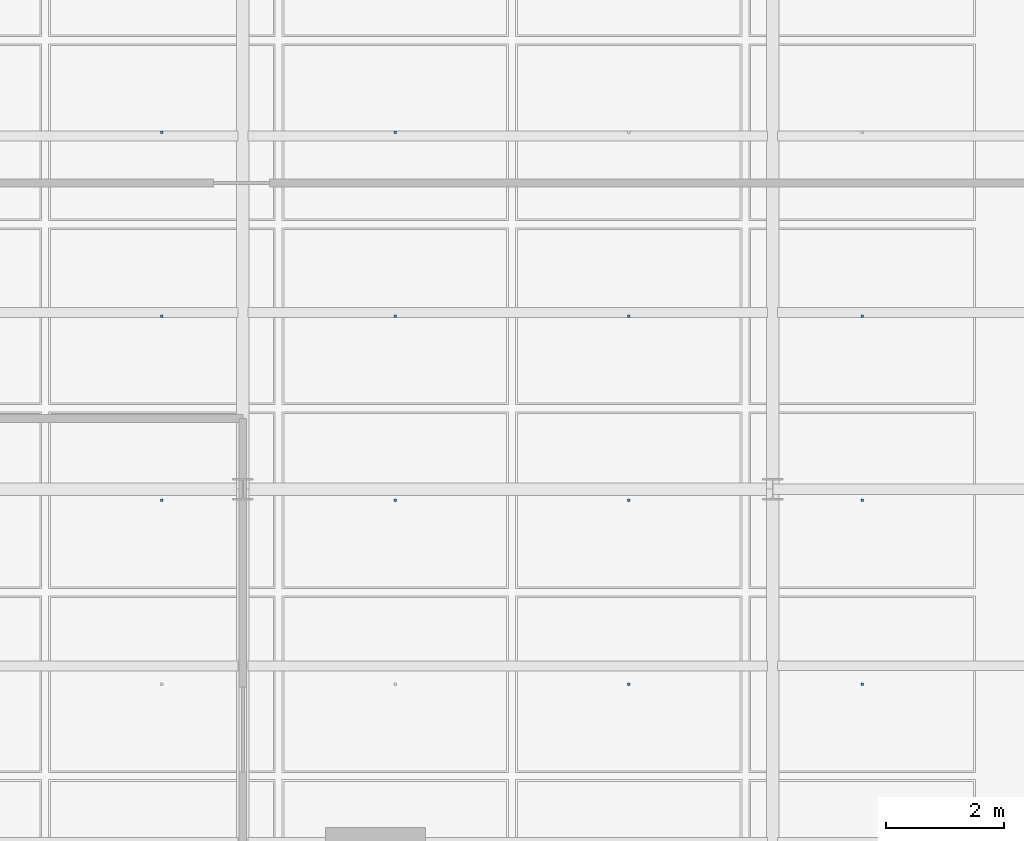
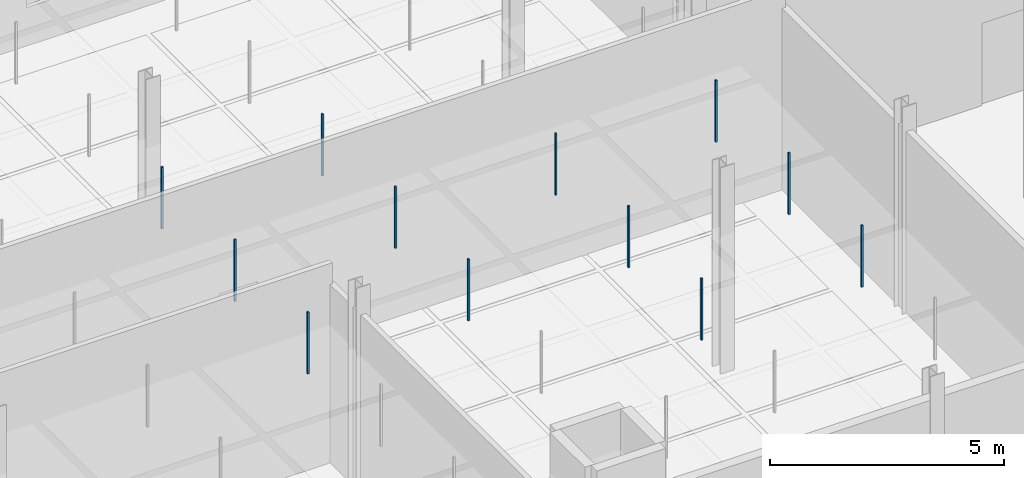
# One storey, part 135 of 180: 12 discrete accessories.
"""IFC4 building model written with IfcOpenShell, lengths in metres."""

from ifc_helpers import new_model, si_unit, direction, frame, origin, origin_2d, place, context, subcontext, project, spatial, rectangle, extrude, material, type_object, element, save


model = new_model("IFC4")

# Units and contexts
model_context = context("Model", 3, precision=1e-05, world=origin(), true_north=direction((0.0, 1.0)))
body_context = subcontext(model_context, "Body", "Model", "MODEL_VIEW")
ifc_project = project(units=[si_unit("LENGTHUNIT", "METRE"), si_unit("AREAUNIT", "SQUARE_METRE"), si_unit("VOLUMEUNIT", "CUBIC_METRE"), si_unit("PLANEANGLEUNIT", "RADIAN"), si_unit("MASSUNIT", "GRAM", prefix="KILO"), si_unit("THERMODYNAMICTEMPERATUREUNIT", "KELVIN"), si_unit("POWERUNIT", "WATT")], contexts=[model_context])

# Site, building, storey
site_placement = place(None, origin())
site = spatial("IfcSite", under=ifc_project, at=site_placement, CompositionType="ELEMENT")
building_placement = place(site_placement, origin())
building = spatial("IfcBuilding", under=site, at=building_placement, Name="Tallowbark Science Centre", CompositionType="ELEMENT")
storey_placement = place(building_placement, origin())
storey = spatial("IfcBuildingStorey", under=building, at=storey_placement, Name="L00", CompositionType="ELEMENT", Elevation=0.0)

# Discrete accessories
ifc_material = material(Name="Galvanised Steel Grade C350L0 (350 MPa)", Category="steel")
discrete_accessory_type = type_object("IfcDiscreteAccessoryType", Name="ACC-CLG-HNG", PredefinedType="BRACKET", material=ifc_material)
for number, where, z_axis, x_axis, name in (
    (1, (97.625, 80.8125, 3.60498046875), (0.0, 0.0, 1.0), (1.0, 0.0, 0.0), "Ceiling Hanger Bracket L00-367"),
    (2, (97.625, 83.9375, 3.60498046875), (0.0, 0.0, 1.0), (1.0, 0.0, 0.0), "Ceiling Hanger Bracket L00-368"),
    (3, (97.625, 87.0625, 3.60498046875), (0.0, 0.0, 1.0), (1.0, 0.0, 0.0), "Ceiling Hanger Bracket L00-369"),
    (4, (101.58935546875, 80.8125, 3.60498046875), (0.0, 0.0, 1.0), (1.0, 0.0, 0.0), "Ceiling Hanger Bracket L00-375"),
    (5, (101.58935546875, 83.9375, 3.60498046875), (0.0, 0.0, 1.0), (1.0, 0.0, 0.0), "Ceiling Hanger Bracket L00-376"),
    (6, (101.58935546875, 87.0625, 3.60498046875), (0.0, 0.0, 1.0), (1.0, 0.0, 0.0), "Ceiling Hanger Bracket L00-377"),
    (7, (105.5537109375, 77.6875, 3.60498046875), (0.0, 0.0, 1.0), (1.0, 0.0, 0.0), "Ceiling Hanger Bracket L00-382"),
    (8, (105.5537109375, 80.8125, 3.60498046875), (0.0, 0.0, 1.0), (1.0, 0.0, 0.0), "Ceiling Hanger Bracket L00-383"),
    (9, (105.5537109375, 83.9375, 3.60498046875), (0.0, 0.0, 1.0), (1.0, 0.0, 0.0), "Ceiling Hanger Bracket L00-384"),
    (10, (109.517822265625, 77.6875, 3.60498046875), (0.0, 0.0, 1.0), (1.0, 0.0, 0.0), "Ceiling Hanger Bracket L00-390"),
    (11, (109.517822265625, 80.8125, 3.60498046875), (0.0, 0.0, 1.0), (1.0, 0.0, 0.0), "Ceiling Hanger Bracket L00-391"),
    (12, (109.517822265625, 83.9375, 3.60498046875), (0.0, 0.0, 1.0), (1.0, 0.0, 0.0), "Ceiling Hanger Bracket L00-392"),
):
    element("IfcDiscreteAccessory", number, at=place(storey_placement, frame(where, z_axis=z_axis, x_axis=x_axis)), inside=storey, type_object=discrete_accessory_type, Name=name, PredefinedType="BRACKET", context=body_context, shape_type="SweptSolid", body=[
        extrude(rectangle(XDim=0.044921875, YDim=0.044921875, at=origin_2d()), origin(), (0.0, 0.0, 1.0), 1.617919921875),
    ])

save(model, "model.ifc")
